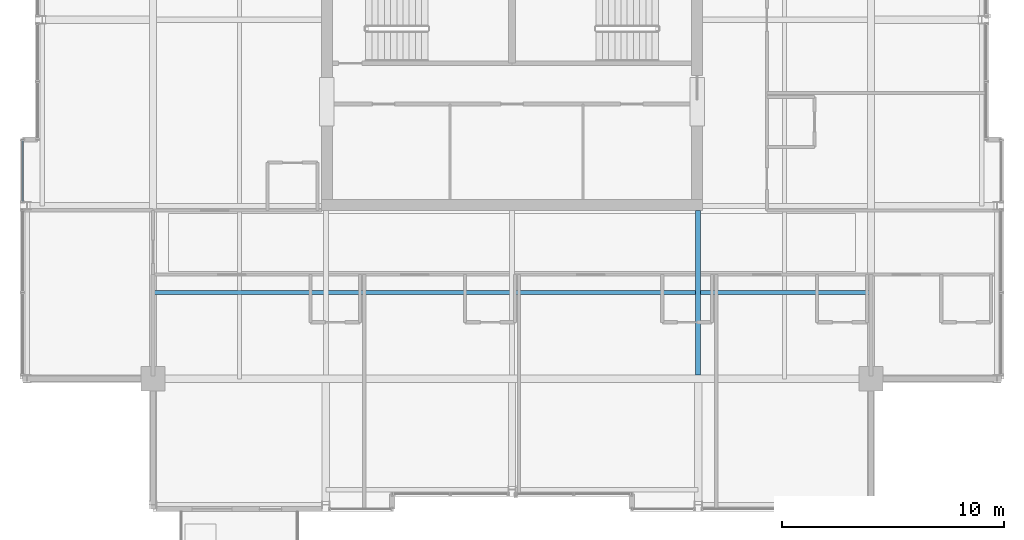
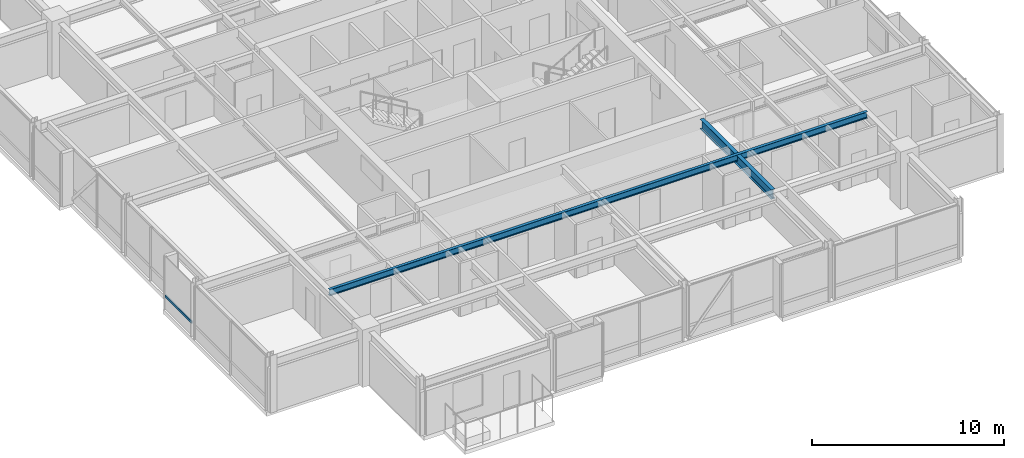
# One storey, part 10 of 34: 2 beams, 1 member, 1 element without a shape of its own.
"""IFC4 building model written with IfcOpenShell, lengths in metres."""

from ifc_helpers import new_model, si_unit, direction, frame, origin, origin_2d, place, context, subcontext, project, spatial, hollow_rectangle, i_section, extrude, material, layer, layer_set, material_profile, profile_set, type_object, element, aggregate, save


model = new_model("IFC4")

# Units and contexts
model_context = context("Model", 3, precision=1e-05, world=origin(), true_north=direction((0.0, 1.0)))
body_context = subcontext(model_context, "Body", "Model", "MODEL_VIEW")
ifc_project = project(units=[si_unit("LENGTHUNIT", "METRE"), si_unit("AREAUNIT", "SQUARE_METRE"), si_unit("VOLUMEUNIT", "CUBIC_METRE"), si_unit("PLANEANGLEUNIT", "RADIAN"), si_unit("MASSUNIT", "GRAM", prefix="KILO")], contexts=[model_context])

# Site, building, storey
site_placement = place(None, origin())
site = spatial("IfcSite", under=ifc_project, at=site_placement, CompositionType="ELEMENT")
building_placement = place(site_placement, origin())
building = spatial("IfcBuilding", under=site, at=building_placement, Name="Drelvath Grand Hotel", CompositionType="ELEMENT")
storey_placement = place(building_placement, frame((0.0, 0.0, 286.89990234375)))
storey = spatial("IfcBuildingStorey", under=building, at=storey_placement, Name="L75", CompositionType="ELEMENT", Elevation=286.89990234375)

# Beam
ifc_material_1 = material(Name="Steel ASTM A992 Gr 50", Category="steel")
ifc_material_profile_1 = material_profile(ifc_material_1, i_section(OverallWidth=0.177734375, OverallDepth=0.40673828125, WebThickness=0.0078125, FlangeThickness=0.0126953125, FilletRadius=0.014892578125, at=origin_2d()), Name="W16X40")
ifc_profile_set_1 = profile_set([ifc_material_profile_1], Name="Steel ASTM A992 Gr 50")
beam_type_1 = type_object("IfcBeamType", Name="Composite Floor Joist W16X40", PredefinedType="JOIST", material=ifc_profile_set_1)
beam_1_placement = place(storey_placement, frame((-16.199951171875, 14.699951171875, 3.186767578125), z_axis=(1.0, 0.0, 0.0), x_axis=(0.0, 1.0, 0.0)))
element("IfcBeam", 1, at=beam_1_placement, inside=storey, type_object=beam_type_1, Name="L75 Floor Joist J1", PredefinedType="JOIST", context=body_context, shape_type="SweptSolid", body=[
    extrude(i_section(OverallWidth=0.177734375, OverallDepth=0.40673828125, WebThickness=0.0078125, FlangeThickness=0.0126953125, FilletRadius=0.014892578125, at=origin_2d()), origin(), (0.0, 0.0, 1.0), 32.39990234375),
])

# Curtain wall, member
ifc_material_2 = material(Name="Platinum-Mist Anodised Aluminium Frame", Category="aluminium")
ifc_layer = layer(ifc_material_2, 0.199951171875)
ifc_layer_set = layer_set([ifc_layer], Name="Platinum-Mist Anodised Aluminium Frame")
curtain_wall_type = type_object("IfcCurtainWallType", Name="Stick Curtain Wall CW-05 Platinum Mist High-Rise", PredefinedType="NOTDEFINED", material=ifc_layer_set)
curtain_wall_placement = place(storey_placement, origin())
curtain_wall = element("IfcCurtainWall", 2, at=curtain_wall_placement, inside=storey, type_object=curtain_wall_type, Name="L75 CW-05 Curtain Wall CW05-L75-WS2", PredefinedType="NOTDEFINED")
ifc_material_profile_2 = material_profile(ifc_material_2, hollow_rectangle(XDim=0.06494140625, YDim=0.159912109375, WallThickness=0.00390625, at=origin_2d()), Name="HSS160X65X4")
ifc_profile_set_2 = profile_set([ifc_material_profile_2], Name="Platinum-Mist Anodised Aluminium Frame")
member_type = type_object("IfcMemberType", Name="Curtain Wall Horizontal Transom CW-05 HSS160X65X4", PredefinedType="USERDEFINED", material=ifc_profile_set_2)
member_placement = place(storey_placement, frame((-22.080078125, 18.81005859375, 0.84765625), z_axis=(0.0, 1.0, 0.0), x_axis=(-1.0, 0.0, 0.0)))
member = element("IfcMember", 3, at=member_placement, type_object=member_type, Name="CW05-L75-WS2 Sill Transom", ObjectType="TRANSOM", PredefinedType="USERDEFINED", context=body_context, shape_type="SweptSolid", body=[
    extrude(hollow_rectangle(XDim=0.06494140625, YDim=0.159912109375, WallThickness=0.00390625, at=origin_2d()), origin(), (0.0, 0.0, 1.0), 2.75),
])
aggregate(curtain_wall, [member])

# Beam
ifc_material_profile_3 = material_profile(ifc_material_1, i_section(OverallWidth=0.228271484375, OverallDepth=0.607666015625, WebThickness=0.01123046875, FlangeThickness=0.017333984375, FilletRadius=0.02001953125, at=origin_2d()), Name="W24X76")
ifc_profile_set_3 = profile_set([ifc_material_profile_3], Name="Steel ASTM A992 Gr 50")
beam_type_2 = type_object("IfcBeamType", Name="Primary Floor Girder W24X76", PredefinedType="BEAM", material=ifc_profile_set_3)
beam_2_placement = place(storey_placement, frame((8.39990234375, 10.9619140625, 3.086181640625), z_axis=(0.0, 1.0, 0.0), x_axis=(-1.0, 0.0, 0.0)))
element("IfcBeam", 4, at=beam_2_placement, inside=storey, type_object=beam_type_2, Name="L75 South Core Tie 6", PredefinedType="BEAM", context=body_context, shape_type="SweptSolid", body=[
    extrude(i_section(OverallWidth=0.228271484375, OverallDepth=0.607666015625, WebThickness=0.01123046875, FlangeThickness=0.017333984375, FilletRadius=0.02001953125, at=origin_2d()), origin(), (0.0, 0.0, 1.0), 7.43798828125),
])

save(model, "model.ifc")
